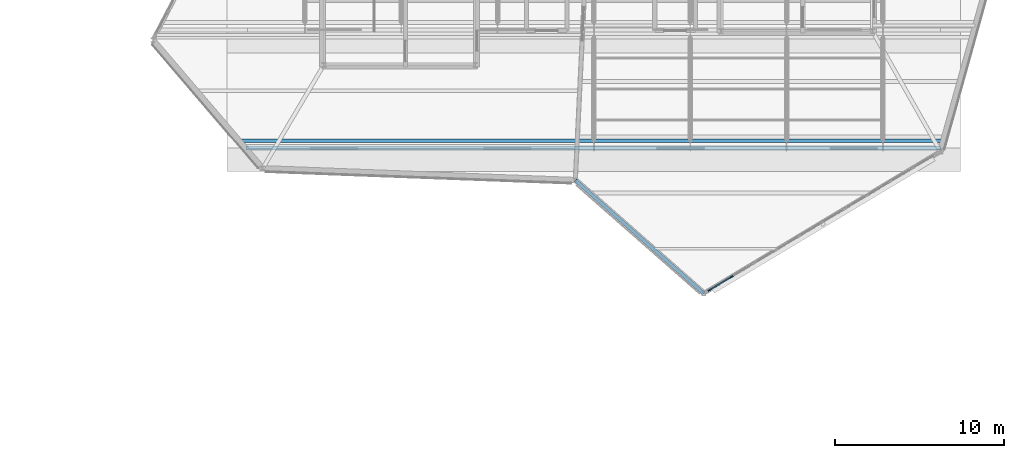
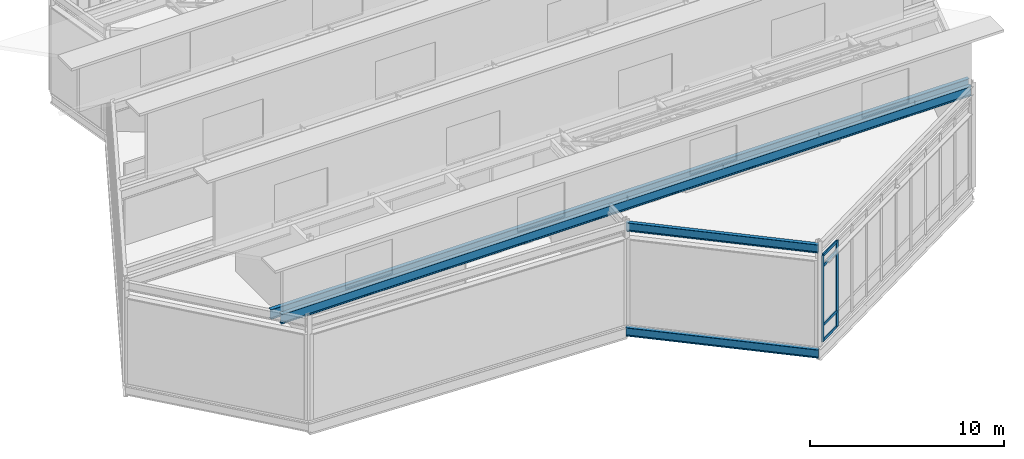
# One storey, part 11 of 55: 6 members, 4 beams, 1 element without a shape of its own.
"""IFC4 building model written with IfcOpenShell, lengths in metres."""

import ifcopenshell
import ifcopenshell.guid

model = None  # the IFC model being written
_history = None  # IfcOwnerHistory: only IFC2X3 demands one
_inside = {}  # id of a spatial element -> (the spatial element, [elements in it])
_under = {}  # id of a project, library or spatial element -> (it, [spatial elements below it])
_declared = {}  # id of a project -> (the project, [libraries it declares])
_typed = {}  # id of a type object -> (the type object, [elements of that type])
_made_of = {}  # id of a material, layer set ... -> (it, [elements and type objects made of it])


def new_model(schema):
    """Start an empty IFC model of exactly this schema.

    Asked for "IFC4X3", IfcOpenShell would pick the latest addendum, in which some entities
    have other attributes; the version numbers below select the first issue.
    IFC2X3 requires an IfcOwnerHistory on every rooted entity: one is made here for all.
    """
    global model, _history
    if schema == "IFC4X3":
        model = ifcopenshell.file(schema_version=(4, 3, 0, 0))
    else:
        model = ifcopenshell.file(schema=schema)
    _inside.clear()
    _under.clear()
    _declared.clear()
    _typed.clear()
    _made_of.clear()
    _history = None
    if model.schema == "IFC2X3":
        org = make("IfcOrganization", Name="unknown")
        user = make(
            "IfcPersonAndOrganization",
            ThePerson=make("IfcPerson", FamilyName="unknown"),
            TheOrganization=org,
        )
        app = make(
            "IfcApplication",
            ApplicationDeveloper=org,
            Version="unknown",
            ApplicationFullName="unknown",
            ApplicationIdentifier="unknown",
        )
        _history = make(
            "IfcOwnerHistory",
            OwningUser=user,
            OwningApplication=app,
            ChangeAction="ADDED",
            CreationDate=0,
        )
    return model


def make(cls, **values):
    """One entity of the class cls with the attributes given. An attribute that is None is left unset."""
    return model.create_entity(
        cls, **{name: value for name, value in values.items() if value is not None}
    )


def rooted(cls, **values):
    """An entity with a GlobalId (a new one), such as an element, a storey or a relation."""
    return make(cls, GlobalId=ifcopenshell.guid.new(), OwnerHistory=_history, **values)


def si_unit(unit_type, name, prefix=None):
    """IfcSIUnit, for example si_unit("LENGTHUNIT", "METRE", prefix="MILLI")."""
    return make("IfcSIUnit", UnitType=unit_type, Prefix=prefix, Name=name)


def assignment(units):
    """IfcUnitAssignment: the units of a project."""
    return None if units is None else make("IfcUnitAssignment", Units=units)


def point(xyz):
    """IfcCartesianPoint."""
    return None if xyz is None else make("IfcCartesianPoint", Coordinates=xyz)


def direction(xyz):
    """IfcDirection."""
    return None if xyz is None else make("IfcDirection", DirectionRatios=xyz)


def frame(location, z_axis=None, x_axis=None):
    """IfcAxis2Placement3D, a coordinate frame: its origin and axes. An axis left out is left unset."""
    return make(
        "IfcAxis2Placement3D",
        Location=point(location),
        Axis=direction(z_axis),
        RefDirection=direction(x_axis),
    )


def frame_2d(location, x_axis=None):
    """IfcAxis2Placement2D, a coordinate frame in the plane: its origin and x axis."""
    return make(
        "IfcAxis2Placement2D", Location=point(location), RefDirection=direction(x_axis)
    )


def origin():
    """The frame at (0, 0, 0) with its axes left unset."""
    return frame((0.0, 0.0, 0.0))


def origin_2d():
    """The frame at (0, 0) in the plane with its x axis left unset."""
    return frame_2d((0.0, 0.0))


def place(relative_to, where):
    """IfcLocalPlacement: puts the frame where relative to a parent placement (None: the world)."""
    return make(
        "IfcLocalPlacement", PlacementRelTo=relative_to, RelativePlacement=where
    )


def context(
    kind, dimensions, precision=None, world=None, true_north=None, identifier=None
):
    """IfcGeometricRepresentationContext, for example the 3D "Model" context."""
    return make(
        "IfcGeometricRepresentationContext",
        ContextIdentifier=identifier,
        ContextType=kind,
        CoordinateSpaceDimension=dimensions,
        Precision=precision,
        WorldCoordinateSystem=world,
        TrueNorth=true_north,
    )


def subcontext(parent, identifier, kind, view, scale=None):
    """IfcGeometricRepresentationSubContext, for example "Body" below "Model"."""
    return make(
        "IfcGeometricRepresentationSubContext",
        ContextIdentifier=identifier,
        ContextType=kind,
        ParentContext=parent,
        TargetScale=scale,
        TargetView=view,
    )


def project(units=None, contexts=None):
    """IfcProject with its units and contexts."""
    return rooted(
        "IfcProject",
        Name="project",
        RepresentationContexts=contexts,
        UnitsInContext=assignment(units),
    )


def spatial(cls, under=None, at=None, **own):
    """A site, building, storey or space (cls), placed at a placement, below another one or the project."""
    s = rooted(cls, ObjectPlacement=at, **own)
    if under is not None:
        _under.setdefault(under.id(), (under, []))[1].append(s)
    return s


def profile(cls, at=None, kind="AREA", **sizes):
    """A parametric profile (cls). Its sizes go by their IFC names, for example OverallWidth=200.0."""
    return make(cls, ProfileType=kind, Position=at, **sizes)


def rectangle(**sizes):
    """IfcRectangleProfileDef."""
    return profile("IfcRectangleProfileDef", **sizes)


def i_section(**sizes):
    """IfcIShapeProfileDef."""
    return profile("IfcIShapeProfileDef", **sizes)


def extrude(swept, where, along, depth):
    """IfcExtrudedAreaSolid: the profile swept, set in the frame where, extruded along a direction by depth."""
    return make(
        "IfcExtrudedAreaSolid",
        SweptArea=swept,
        Position=where,
        ExtrudedDirection=direction(along),
        Depth=depth,
    )


def shape(context_of_items, identifier, shape_type, items):
    """IfcShapeRepresentation: the items that make up one representation, for example the "Body"."""
    return make(
        "IfcShapeRepresentation",
        ContextOfItems=context_of_items,
        RepresentationIdentifier=identifier,
        RepresentationType=shape_type,
        Items=items,
    )


def material(Name=None, Category=None):
    """IfcMaterial."""
    return make("IfcMaterial", Name=Name, Category=Category)


def material_profile(
    of_material, cross_section, Name=None, Category=None, Priority=None
):
    """IfcMaterialProfile: a cross section and its material."""
    return make(
        "IfcMaterialProfile",
        Name=Name,
        Material=of_material,
        Profile=cross_section,
        Priority=Priority,
        Category=Category,
    )


def profile_set(profiles, Name=None, composite=None):
    """IfcMaterialProfileSet."""
    return make(
        "IfcMaterialProfileSet",
        Name=Name,
        MaterialProfiles=profiles,
        CompositeProfile=composite,
    )


def made_of(thing, what):
    """Note that an element or type object is made of a material, layer set ...; save() writes the relation."""
    if what is not None:
        _made_of.setdefault(what.id(), (what, []))[1].append(thing)
    return thing


def type_object(cls, material=None, **own):
    """A type object (cls), such as IfcWallType, which elements share."""
    return made_of(rooted(cls, **own), material)


def element(
    cls,
    number,
    at=None,
    inside=None,
    cuts=None,
    type_object=None,
    material=None,
    context=None,
    identifier="Body",
    shape_type=None,
    held_by="IfcProductDefinitionShape",
    body=None,
    shapes=None,
    **own,
):
    """One element of the class cls, such as IfcWall. Its Tag is "e" and its number.

    at: its placement. inside: the storey or other place that contains it. cuts: it is an
    opening in that element (IfcRelVoidsElement). A single representation is given by context,
    identifier, shape_type and body (its items); several are given by shapes. held_by: the class
    of the entity that holds the representations. save() writes the other relations.
    """
    e = rooted(cls, Tag="e%d" % number, ObjectPlacement=at, **own)
    if body is not None:
        shapes = [shape(context, identifier, shape_type, body)]
    if shapes is not None:
        e.Representation = make(held_by, Representations=shapes)
    if inside is not None:
        _inside.setdefault(inside.id(), (inside, []))[1].append(e)
    if cuts is not None:
        rooted(
            "IfcRelVoidsElement", RelatingBuildingElement=cuts, RelatedOpeningElement=e
        )
    if type_object is not None:
        _typed.setdefault(type_object.id(), (type_object, []))[1].append(e)
    return made_of(e, material)


def aggregate(whole, parts):
    """IfcRelAggregates: a whole, such as a stair, and the parts it consists of."""
    return rooted("IfcRelAggregates", RelatingObject=whole, RelatedObjects=parts)


def save(model, path):
    """Write the relations noted so far, then the file.

    IfcRelAggregates (storeys below a building ...), IfcRelContainedInSpatialStructure (elements
    in a storey), IfcRelDefinesByType, IfcRelAssociatesMaterial and IfcRelDeclares: one each for
    every whole, place, type object, material and project.
    """
    for whole, parts in _under.values():
        aggregate(whole, parts)
    for where, things in _inside.values():
        rooted(
            "IfcRelContainedInSpatialStructure",
            RelatedElements=things,
            RelatingStructure=where,
        )
    for kind, things in _typed.values():
        rooted("IfcRelDefinesByType", RelatedObjects=things, RelatingType=kind)
    for what, things in _made_of.values():
        rooted("IfcRelAssociatesMaterial", RelatedObjects=things, RelatingMaterial=what)
    for by, libraries in _declared.values():
        rooted("IfcRelDeclares", RelatingContext=by, RelatedDefinitions=libraries)
    model.write(path)


model = new_model("IFC4")

# Units and contexts
model_context = context("Model", 3, precision=1e-05, world=origin(), true_north=direction((0.0, 1.0)))
body_context = subcontext(model_context, "Body", "Model", "MODEL_VIEW")
ifc_project = project(units=[si_unit("LENGTHUNIT", "METRE"), si_unit("AREAUNIT", "SQUARE_METRE"), si_unit("VOLUMEUNIT", "CUBIC_METRE"), si_unit("PLANEANGLEUNIT", "RADIAN"), si_unit("MASSUNIT", "GRAM", prefix="KILO")], contexts=[model_context])

# Site, building, storey
site_placement = place(None, origin())
site = spatial("IfcSite", under=ifc_project, at=site_placement, CompositionType="ELEMENT")
building_placement = place(site_placement, origin())
building = spatial("IfcBuilding", under=site, at=building_placement, Name="Tameran Prism Museum", CompositionType="ELEMENT")
storey_placement = place(building_placement, frame((0.0, 0.0, 28.800048828125)))
storey = spatial("IfcBuildingStorey", under=building, at=storey_placement, Name="L05", CompositionType="ELEMENT", Elevation=28.800048828125)

# Beams
ifc_material_1 = material(Name="Steel Grade 300PLUS (300 MPa)", Category="steel")
ifc_material_profile_1 = material_profile(ifc_material_1, i_section(OverallWidth=0.208984375, OverallDepth=0.532958984375, WebThickness=0.01025390625, FlangeThickness=0.015625, FilletRadius=0.013916015625, at=origin_2d()))
ifc_profile_set_1 = profile_set([ifc_material_profile_1])
beam_type_1 = type_object("IfcBeamType", Name="BM-SP530A", PredefinedType="SPANDREL", material=ifc_profile_set_1)
beam_1_placement = place(storey_placement, frame((117.89990234375, 70.60009765625, -0.506591796875), z_axis=(0.750120474088, -0.661301197908, 0.0), x_axis=(0.661301197908, 0.750120474088, 0.0)))
element("IfcBeam", 1, at=beam_1_placement, inside=storey, type_object=beam_type_1, Name="Perimeter Spandrel SP-1251", PredefinedType="SPANDREL", context=body_context, shape_type="SweptSolid", body=[
    extrude(i_section(OverallWidth=0.208984375, OverallDepth=0.532958984375, WebThickness=0.01025390625, FlangeThickness=0.015625, FilletRadius=0.013916015625, at=origin_2d()), origin(), (0.0, 0.0, 1.0), 10.1318359375),
])
ifc_material_2 = material(Name="Steel Grade 300PLUS (300 MPa)", Category="steel")
ifc_material_profile_2 = material_profile(ifc_material_2, i_section(OverallWidth=0.208984375, OverallDepth=0.528076171875, WebThickness=0.009521484375, FlangeThickness=0.01318359375, FilletRadius=0.013916015625, at=origin_2d()))
ifc_profile_set_2 = profile_set([ifc_material_profile_2])
beam_type_2 = type_object("IfcBeamType", Name="BM-SP530B", PredefinedType="SPANDREL", material=ifc_profile_set_2)
beam_2_placement = place(storey_placement, frame((117.89990234375, 70.60009765625, 6.10595703125), z_axis=(0.750120474088, -0.661301197908, 0.0), x_axis=(0.661301197908, 0.750120474088, 0.0)))
element("IfcBeam", 2, at=beam_2_placement, inside=storey, type_object=beam_type_2, Name="Roof Ring Beam RB-1256", PredefinedType="SPANDREL", context=body_context, shape_type="SweptSolid", body=[
    extrude(i_section(OverallWidth=0.208984375, OverallDepth=0.528076171875, WebThickness=0.009521484375, FlangeThickness=0.01318359375, FilletRadius=0.013916015625, at=origin_2d()), origin(), (0.0, 0.0, 1.0), 10.1318359375),
])
ifc_material_3 = material(Name="Steel Grade 300PLUS (300 MPa)", Category="steel")
ifc_material_profile_3 = material_profile(ifc_material_3, i_section(OverallWidth=0.22900390625, OverallDepth=0.612060546875, WebThickness=0.011962890625, FlangeThickness=0.01953125, FilletRadius=0.013916015625, at=origin_2d()))
ifc_profile_set_3 = profile_set([ifc_material_profile_3])
beam_type_3 = type_object("IfcBeamType", Name="BM-UB610A", PredefinedType="BEAM", material=ifc_profile_set_3)
beam_3_placement = place(storey_placement, frame((98.050048828125, 72.93994140625, 6.10595703125), z_axis=(1.0, 0.0, 0.0), x_axis=(0.0, 1.0, 0.0)))
element("IfcBeam", 3, at=beam_3_placement, inside=storey, type_object=beam_type_3, Name="Sawtooth Support Girder SRG-004", PredefinedType="BEAM", context=body_context, shape_type="SweptSolid", body=[
    extrude(i_section(OverallWidth=0.22900390625, OverallDepth=0.612060546875, WebThickness=0.011962890625, FlangeThickness=0.01953125, FilletRadius=0.013916015625, at=origin_2d()), origin(), (0.0, 0.0, 1.0), 41.5869140625),
])
beam_4_placement = place(storey_placement, frame((98.426025390625, 72.5, 5.94384765625), z_axis=(1.0, 0.0, 0.0), x_axis=(0.0, 1.0, 0.0)))
element("IfcBeam", 4, at=beam_4_placement, inside=storey, type_object=beam_type_3, Name="Sawtooth Support Girder SRG-006", PredefinedType="BEAM", context=body_context, shape_type="SweptSolid", body=[
    extrude(i_section(OverallWidth=0.22900390625, OverallDepth=0.612060546875, WebThickness=0.011962890625, FlangeThickness=0.01953125, FilletRadius=0.013916015625, at=origin_2d()), origin(), (0.0, 0.0, 1.0), 41.087890625),
])

# Curtain wall, members
ifc_material_4 = material(Name="Anodised Aluminium 6063-T6 and Cyclone Solar Glass", Category="aluminium")
curtain_wall_type = type_object("IfcCurtainWallType", Name="CW-FAC-1563x542", PredefinedType="USERDEFINED", material=ifc_material_4)
curtain_wall_placement = place(storey_placement, origin())
curtain_wall = element("IfcCurtainWall", 5, at=curtain_wall_placement, inside=storey, type_object=curtain_wall_type, Name="Unitised Curtain Wall CW-165", ObjectType="UNITISED CURTAIN WALL", PredefinedType="USERDEFINED")
ifc_material_5 = material(Name="Anodised Aluminium Alloy 6063-T6", Category="aluminium")
ifc_material_profile_4 = material_profile(ifc_material_5, rectangle(XDim=0.074951171875, YDim=0.199951171875, at=origin_2d()))
ifc_profile_set_4 = profile_set([ifc_material_profile_4])
member_type_1 = type_object("IfcMemberType", Name="CW-MUL-C", PredefinedType="MULLION", material=ifc_profile_set_4)
member_1_placement = place(storey_placement, frame((127.139892578125, 64.884033203125, 0.0), z_axis=(0.0, 0.0, 1.0), x_axis=(0.514495755426, -0.857492925713, 0.0)))
member_1 = element("IfcMember", 6, at=member_1_placement, type_object=member_type_1, Name="CW-165 mullion 10", PredefinedType="MULLION", context=body_context, shape_type="SweptSolid", body=[
    extrude(rectangle(XDim=0.074951171875, YDim=0.199951171875, at=origin_2d()), origin(), (0.0, 0.0, 1.0), 5.419921875),
])
member_2_placement = place(storey_placement, frame((125.832275390625, 64.099365234375, 0.0), z_axis=(0.0, 0.0, 1.0), x_axis=(0.514495755426, -0.857492925713, 0.0)))
member_2 = element("IfcMember", 7, at=member_2_placement, type_object=member_type_1, Name="CW-165 mullion 11", PredefinedType="MULLION", context=body_context, shape_type="SweptSolid", body=[
    extrude(rectangle(XDim=0.074951171875, YDim=0.199951171875, at=origin_2d()), origin(), (0.0, 0.0, 1.0), 5.419921875),
])
ifc_material_6 = material(Name="Anodised Aluminium Alloy 6063-T6", Category="aluminium")
ifc_material_profile_5 = material_profile(ifc_material_6, rectangle(XDim=0.074951171875, YDim=0.175048828125, at=origin_2d()))
ifc_profile_set_5 = profile_set([ifc_material_profile_5])
member_type_2 = type_object("IfcMemberType", Name="CW-TRN-C", PredefinedType="USERDEFINED", material=ifc_profile_set_5)
member_3_placement = place(storey_placement, frame((127.10791015625, 64.86474609375, 0.037353515625), z_axis=(-0.857522631296, -0.514446242882, 0.0), x_axis=(0.514446242882, -0.857522631296, 0.0)))
member_3 = element("IfcMember", 8, at=member_3_placement, type_object=member_type_2, Name="CW-165 transom 10.1", ObjectType="TRANSOM", PredefinedType="USERDEFINED", context=body_context, shape_type="SweptSolid", body=[
    extrude(rectangle(XDim=0.074951171875, YDim=0.175048828125, at=origin_2d()), origin(), (0.0, 0.0, 1.0), 1.4501953125),
])
member_4_placement = place(storey_placement, frame((127.10791015625, 64.86474609375, 1.0), z_axis=(-0.857522631296, -0.514446242882, 0.0), x_axis=(0.514446242882, -0.857522631296, 0.0)))
member_4 = element("IfcMember", 9, at=member_4_placement, type_object=member_type_2, Name="CW-165 transom 10.2", ObjectType="TRANSOM", PredefinedType="USERDEFINED", context=body_context, shape_type="SweptSolid", body=[
    extrude(rectangle(XDim=0.074951171875, YDim=0.175048828125, at=origin_2d()), origin(), (0.0, 0.0, 1.0), 1.4501953125),
])
member_5_placement = place(storey_placement, frame((127.10791015625, 64.86474609375, 4.739990234375), z_axis=(-0.857522631296, -0.514446242882, 0.0), x_axis=(0.514446242882, -0.857522631296, 0.0)))
member_5 = element("IfcMember", 10, at=member_5_placement, type_object=member_type_2, Name="CW-165 transom 10.3", ObjectType="TRANSOM", PredefinedType="USERDEFINED", context=body_context, shape_type="SweptSolid", body=[
    extrude(rectangle(XDim=0.074951171875, YDim=0.175048828125, at=origin_2d()), origin(), (0.0, 0.0, 1.0), 1.4501953125),
])
member_6_placement = place(storey_placement, frame((127.10791015625, 64.86474609375, 5.382568359375), z_axis=(-0.857522631296, -0.514446242882, 0.0), x_axis=(0.514446242882, -0.857522631296, 0.0)))
member_6 = element("IfcMember", 11, at=member_6_placement, type_object=member_type_2, Name="CW-165 transom 10.4", ObjectType="TRANSOM", PredefinedType="USERDEFINED", context=body_context, shape_type="SweptSolid", body=[
    extrude(rectangle(XDim=0.074951171875, YDim=0.175048828125, at=origin_2d()), origin(), (0.0, 0.0, 1.0), 1.4501953125),
])
aggregate(curtain_wall, [member_1, member_2, member_3, member_4, member_5, member_6])

save(model, "model.ifc")
